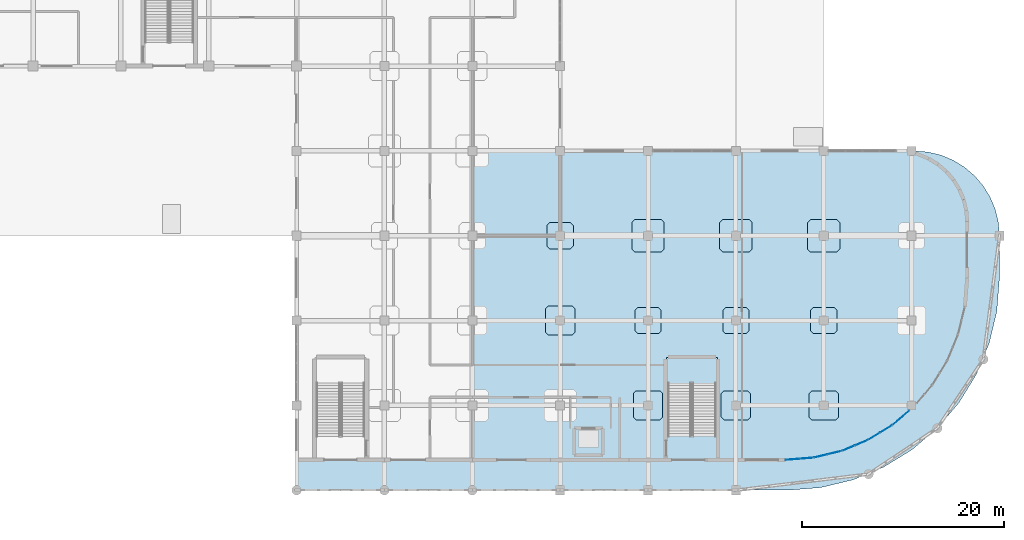
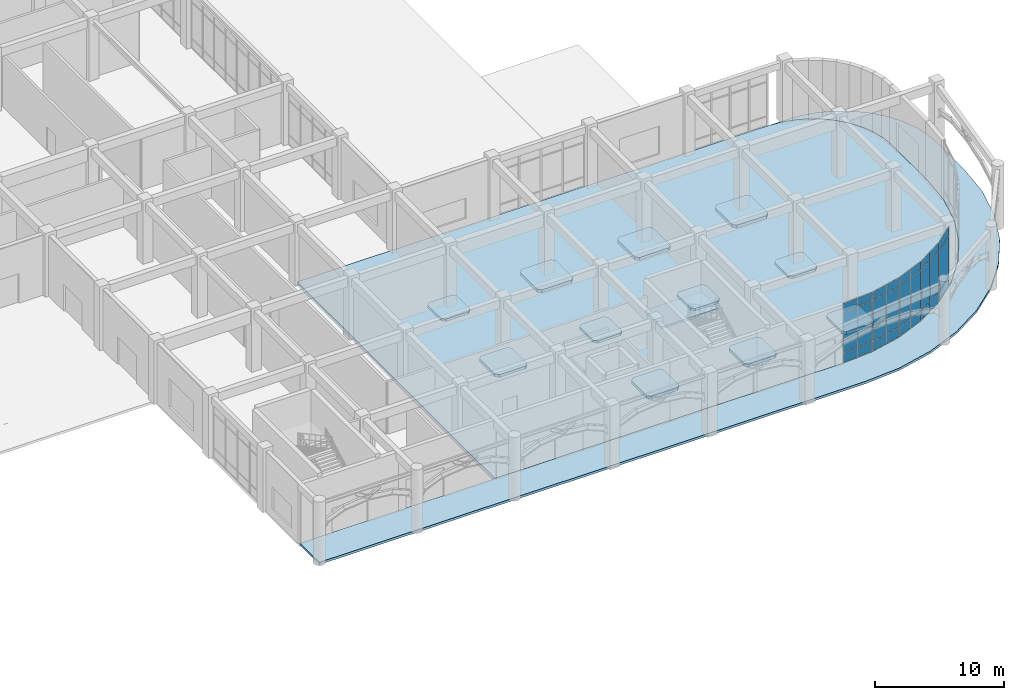
# One storey, part 56 of 82: 27 plates, 14 slabs, 6 elements without a shape of their own.
"""IFC4 building model written with IfcOpenShell, lengths in metres."""

from ifc_helpers import new_model, si_unit, derived_unit, direction, frame, origin, origin_2d, place, context, subcontext, project, spatial, polyline, rectangle, outline, extrude, material, layer, layer_set, type_object, element, aggregate, save


model = new_model("IFC4")

# Units and contexts
model_context = context("Model", 3, precision=1e-05, world=origin(), true_north=direction((0.0, 1.0)))
body_context = subcontext(model_context, "Body", "Model", "MODEL_VIEW")
ifc_project = project(units=[si_unit("LENGTHUNIT", "METRE"), si_unit("AREAUNIT", "SQUARE_METRE"), si_unit("VOLUMEUNIT", "CUBIC_METRE"), si_unit("PLANEANGLEUNIT", "RADIAN"), si_unit("MASSUNIT", "GRAM", prefix="KILO"), derived_unit("THERMALTRANSMITTANCEUNIT", [(si_unit("MASSUNIT", "GRAM", prefix="KILO"), 1), (si_unit("TIMEUNIT", "SECOND"), -3), (si_unit("THERMODYNAMICTEMPERATUREUNIT", "KELVIN"), -1)])], contexts=[model_context])

# Site, building, storey
site_placement = place(None, origin())
site = spatial("IfcSite", under=ifc_project, at=site_placement, CompositionType="ELEMENT")
building_placement = place(site_placement, origin())
building = spatial("IfcBuilding", under=site, at=building_placement, Name="Qinzheling Arcade Emporium", CompositionType="ELEMENT")
storey_placement = place(building_placement, origin())
storey = spatial("IfcBuildingStorey", under=building, at=storey_placement, Name="L01", CompositionType="ELEMENT", Elevation=0.0)

# Slabs
ifc_material_1 = material(Name="Concrete C40", Category="concrete")
ifc_layer_1 = layer(ifc_material_1, 0.235107421875, Name="Concrete C40", Category="concrete")
ifc_layer_set_1 = layer_set([ifc_layer_1], Name="Concrete C40")
slab_type_1 = type_object("IfcSlabType", Name="Column Head Drop Panel 2600x2600x235 C40", PredefinedType="USERDEFINED", material=ifc_layer_set_1)
slab_1_placement = place(storey_placement, frame((0.0, 0.0, -0.574951171875)))
element("IfcSlab", 1, at=slab_1_placement, inside=storey, type_object=slab_type_1, Name="Column Drop Panel DP-L01-16-D", ObjectType="DROP_PANEL", PredefinedType="USERDEFINED", context=body_context, shape_type="SweptSolid", body=[
    extrude(outline(polyline([(129.47998046875, 23.89990234375), (131.52001953125, 23.89990234375), (131.800048828125, 24.179931640625), (131.800048828125, 26.219970703125), (131.52001953125, 26.5), (129.47998046875, 26.5), (129.199951171875, 26.219970703125), (129.199951171875, 24.179931640625), (129.47998046875, 23.89990234375)])), origin(), (0.0, 0.0, 1.0), 0.23486328125),
])
slab_2_placement = place(storey_placement, frame((0.0, 0.0, -0.574951171875)))
element("IfcSlab", 2, at=slab_2_placement, inside=storey, type_object=slab_type_1, Name="Column Drop Panel DP-L01-17-C", ObjectType="DROP_PANEL", PredefinedType="USERDEFINED", context=body_context, shape_type="SweptSolid", body=[
    extrude(outline(polyline([(138.179931640625, 15.5), (140.219970703125, 15.5), (140.5, 15.780029296875), (140.5, 17.820068359375), (140.219970703125, 18.10009765625), (138.179931640625, 18.10009765625), (137.89990234375, 17.820068359375), (137.89990234375, 15.780029296875), (138.179931640625, 15.5)])), origin(), (0.0, 0.0, 1.0), 0.23486328125),
])
slab_3_placement = place(storey_placement, frame((0.0, 0.0, -0.574951171875)))
element("IfcSlab", 3, at=slab_3_placement, inside=storey, type_object=slab_type_1, Name="Column Drop Panel DP-L01-18-C", ObjectType="DROP_PANEL", PredefinedType="USERDEFINED", context=body_context, shape_type="SweptSolid", body=[
    extrude(outline(polyline([(146.8798828125, 15.5), (148.919921875, 15.5), (149.199951171875, 15.780029296875), (149.199951171875, 17.820068359375), (148.919921875, 18.10009765625), (146.8798828125, 18.10009765625), (146.60009765625, 17.820068359375), (146.60009765625, 15.780029296875), (146.8798828125, 15.5)])), origin(), (0.0, 0.0, 1.0), 0.23486328125),
])
slab_4_placement = place(storey_placement, frame((0.0, 0.0, -0.574951171875)))
element("IfcSlab", 4, at=slab_4_placement, inside=storey, type_object=slab_type_1, Name="Column Drop Panel DP-L01-19-C", ObjectType="DROP_PANEL", PredefinedType="USERDEFINED", context=body_context, shape_type="SweptSolid", body=[
    extrude(outline(polyline([(155.580078125, 15.5), (157.6201171875, 15.5), (157.89990234375, 15.780029296875), (157.89990234375, 17.820068359375), (157.6201171875, 18.10009765625), (155.580078125, 18.10009765625), (155.300048828125, 17.820068359375), (155.300048828125, 15.780029296875), (155.580078125, 15.5)])), origin(), (0.0, 0.0, 1.0), 0.23486328125),
])
ifc_layer_2 = layer(ifc_material_1, 0.27001953125, Name="Concrete C40", Category="concrete")
ifc_layer_set_2 = layer_set([ifc_layer_2], Name="Concrete C40")
slab_type_2 = type_object("IfcSlabType", Name="Column Head Drop Panel 2900x2900x270 C40", PredefinedType="USERDEFINED", material=ifc_layer_set_2)
slab_5_placement = place(storey_placement, frame((0.0, 0.0, -0.610107421875)))
element("IfcSlab", 5, at=slab_5_placement, inside=storey, type_object=slab_type_2, Name="Column Drop Panel DP-L01-16-C", ObjectType="DROP_PANEL", PredefinedType="USERDEFINED", context=body_context, shape_type="SweptSolid", body=[
    extrude(outline(polyline([(129.330078125, 15.35009765625), (131.669921875, 15.35009765625), (131.949951171875, 15.6298828125), (131.949951171875, 17.969970703125), (131.669921875, 18.25), (129.330078125, 18.25), (129.050048828125, 17.969970703125), (129.050048828125, 15.6298828125), (129.330078125, 15.35009765625)])), origin(), (0.0, 0.0, 1.0), 0.27001953125),
])
slab_6_placement = place(storey_placement, frame((0.0, 0.0, -0.610107421875)))
element("IfcSlab", 6, at=slab_6_placement, inside=storey, type_object=slab_type_2, Name="Column Drop Panel DP-L01-17-B", ObjectType="DROP_PANEL", PredefinedType="USERDEFINED", context=body_context, shape_type="SweptSolid", body=[
    extrude(outline(polyline([(138.030029296875, 6.949951171875), (140.3701171875, 6.949951171875), (140.64990234375, 7.22998046875), (140.64990234375, 9.570068359375), (140.3701171875, 9.85009765625), (138.030029296875, 9.85009765625), (137.75, 9.570068359375), (137.75, 7.22998046875), (138.030029296875, 6.949951171875)])), origin(), (0.0, 0.0, 1.0), 0.27001953125),
])
slab_7_placement = place(storey_placement, frame((0.0, 0.0, -0.610107421875)))
element("IfcSlab", 7, at=slab_7_placement, inside=storey, type_object=slab_type_2, Name="Column Drop Panel DP-L01-18-B", ObjectType="DROP_PANEL", PredefinedType="USERDEFINED", context=body_context, shape_type="SweptSolid", body=[
    extrude(outline(polyline([(146.72998046875, 6.949951171875), (149.070068359375, 6.949951171875), (149.35009765625, 7.22998046875), (149.35009765625, 9.570068359375), (149.070068359375, 9.85009765625), (146.72998046875, 9.85009765625), (146.449951171875, 9.570068359375), (146.449951171875, 7.22998046875), (146.72998046875, 6.949951171875)])), origin(), (0.0, 0.0, 1.0), 0.27001953125),
])
slab_8_placement = place(storey_placement, frame((0.0, 0.0, -0.610107421875)))
element("IfcSlab", 8, at=slab_8_placement, inside=storey, type_object=slab_type_2, Name="Column Drop Panel DP-L01-19-B", ObjectType="DROP_PANEL", PredefinedType="USERDEFINED", context=body_context, shape_type="SweptSolid", body=[
    extrude(outline(polyline([(155.429931640625, 6.949951171875), (157.77001953125, 6.949951171875), (158.050048828125, 7.22998046875), (158.050048828125, 9.570068359375), (157.77001953125, 9.85009765625), (155.429931640625, 9.85009765625), (155.14990234375, 9.570068359375), (155.14990234375, 7.22998046875), (155.429931640625, 6.949951171875)])), origin(), (0.0, 0.0, 1.0), 0.27001953125),
])
ifc_layer_3 = layer(ifc_material_1, 0.300048828125, Name="Concrete C40", Category="concrete")
ifc_layer_set_3 = layer_set([ifc_layer_3], Name="Concrete C40")
slab_type_3 = type_object("IfcSlabType", Name="Column Head Drop Panel 3200x3200x300 C40", PredefinedType="USERDEFINED", material=ifc_layer_set_3)
slab_9_placement = place(storey_placement, frame((0.0, 0.0, -0.639892578125)))
element("IfcSlab", 9, at=slab_9_placement, inside=storey, type_object=slab_type_3, Name="Column Drop Panel DP-L01-17-D", ObjectType="DROP_PANEL", PredefinedType="USERDEFINED", context=body_context, shape_type="SweptSolid", body=[
    extrude(outline(polyline([(137.8798828125, 23.60009765625), (140.52001953125, 23.60009765625), (140.800048828125, 23.8798828125), (140.800048828125, 26.52001953125), (140.52001953125, 26.800048828125), (137.8798828125, 26.800048828125), (137.60009765625, 26.52001953125), (137.60009765625, 23.8798828125), (137.8798828125, 23.60009765625)])), origin(), (0.0, 0.0, 1.0), 0.2998046875),
])
slab_10_placement = place(storey_placement, frame((0.0, 0.0, -0.639892578125)))
element("IfcSlab", 10, at=slab_10_placement, inside=storey, type_object=slab_type_3, Name="Column Drop Panel DP-L01-18-D", ObjectType="DROP_PANEL", PredefinedType="USERDEFINED", context=body_context, shape_type="SweptSolid", body=[
    extrude(outline(polyline([(146.580078125, 23.60009765625), (149.219970703125, 23.60009765625), (149.5, 23.8798828125), (149.5, 26.52001953125), (149.219970703125, 26.800048828125), (146.580078125, 26.800048828125), (146.300048828125, 26.52001953125), (146.300048828125, 23.8798828125), (146.580078125, 23.60009765625)])), origin(), (0.0, 0.0, 1.0), 0.2998046875),
])
slab_11_placement = place(storey_placement, frame((0.0, 0.0, -0.639892578125)))
element("IfcSlab", 11, at=slab_11_placement, inside=storey, type_object=slab_type_3, Name="Column Drop Panel DP-L01-19-D", ObjectType="DROP_PANEL", PredefinedType="USERDEFINED", context=body_context, shape_type="SweptSolid", body=[
    extrude(outline(polyline([(155.280029296875, 23.60009765625), (157.919921875, 23.60009765625), (158.199951171875, 23.8798828125), (158.199951171875, 26.52001953125), (157.919921875, 26.800048828125), (155.280029296875, 26.800048828125), (155.0, 26.52001953125), (155.0, 23.8798828125), (155.280029296875, 23.60009765625)])), origin(), (0.0, 0.0, 1.0), 0.2998046875),
])
ifc_layer_4 = layer(ifc_material_1, 0.219970703125, Name="Concrete C40", Category="concrete")
ifc_layer_set_4 = layer_set([ifc_layer_4], Name="Concrete C40")
slab_type_4 = type_object("IfcSlabType", Name="Exterior Entry Driveway Paving Slab 220 C40", PredefinedType="FLOOR", material=ifc_layer_set_4)
slab_12_placement = place(storey_placement, frame((0.0, 0.0, -0.219970703125)))
element("IfcSlab", 12, at=slab_12_placement, inside=storey, type_object=slab_type_4, Name="Arcade and Court Paving SLB-L01-ARC-COL-03", PredefinedType="FLOOR", context=body_context, shape_type="SweptSolid", body=[
    extrude(outline(polyline([(165.60009765625, 33.60009765625), (163.800048828125, 33.60009765625), (164.89501953125, 33.513916015625), (165.962890625, 33.257080078125), (166.97802734375, 32.8369140625), (167.9140625, 32.262939453125), (168.75, 31.550048828125), (169.462890625, 30.714111328125), (170.037109375, 29.778076171875), (170.45703125, 28.762939453125), (170.714111328125, 27.695068359375), (170.800048828125, 26.60009765625), (170.800048828125, 21.0), (170.577880859375, 18.18408203125), (169.9189453125, 15.43798828125), (168.837890625, 12.827880859375), (167.362060546875, 10.419921875), (165.528076171875, 8.27197265625), (163.3798828125, 6.43798828125), (160.971923828125, 4.9619140625), (158.362060546875, 3.881103515625), (155.615966796875, 3.221923828125), (152.800048828125, 3.0), (121.800048828125, 3.0), (104.39990234375, 3.0), (104.39990234375, 0.0), (121.800048828125, 0.0), (153.0, 0.0), (156.284912109375, 0.259033203125), (159.489013671875, 1.028076171875), (162.533935546875, 2.2890625), (165.343017578125, 4.010986328125), (167.84912109375, 6.15087890625), (169.989013671875, 8.656982421875), (171.7109375, 11.466064453125), (172.971923828125, 14.510986328125), (173.740966796875, 17.715087890625), (174.0, 21.0), (174.0, 25.199951171875), (173.89697265625, 26.513916015625), (173.589111328125, 27.7958984375), (173.083984375, 29.013916015625), (172.39599609375, 30.136962890625), (171.5400390625, 31.139892578125), (170.537109375, 31.99609375), (169.4140625, 32.68408203125), (168.196044921875, 33.18896484375), (166.9140625, 33.4970703125), (165.60009765625, 33.60009765625)])), origin(), (0.0, 0.0, 1.0), 0.219970703125),
])
ifc_layer_5 = layer(ifc_material_1, 0.340087890625, Name="Concrete C40", Category="concrete")
ifc_layer_set_5 = layer_set([ifc_layer_5], Name="Concrete C40")
slab_type_5 = type_object("IfcSlabType", Name="Ground Mercantile & Dock Slab 340 C40", PredefinedType="FLOOR", material=ifc_layer_set_5)
slab_13_placement = place(storey_placement, frame((0.0, 0.0, -0.340087890625)))
element("IfcSlab", 13, at=slab_13_placement, inside=storey, type_object=slab_type_5, Name="Floor Slab SLB-L01-V4", PredefinedType="FLOOR", context=body_context, shape_type="SweptSolid", body=[
    extrude(outline(polyline([(121.800048828125, 33.60009765625), (121.800048828125, 3.0), (152.800048828125, 3.0), (155.615966796875, 3.221923828125), (158.362060546875, 3.881103515625), (160.971923828125, 4.9619140625), (163.3798828125, 6.43798828125), (165.528076171875, 8.27197265625), (167.362060546875, 10.419921875), (168.837890625, 12.827880859375), (169.9189453125, 15.43798828125), (170.577880859375, 18.18408203125), (170.800048828125, 21.0), (170.800048828125, 26.60009765625), (170.714111328125, 27.695068359375), (170.45703125, 28.762939453125), (170.037109375, 29.778076171875), (169.462890625, 30.714111328125), (168.75, 31.550048828125), (167.9140625, 32.262939453125), (166.97802734375, 32.8369140625), (165.962890625, 33.257080078125), (164.89501953125, 33.513916015625), (163.800048828125, 33.60009765625), (121.800048828125, 33.60009765625)])), origin(), (0.0, 0.0, 1.0), 0.340087890625),
])

# Curtain wall, plates
ifc_material_2 = material(Name="Anodised aluminium and solar-control double glazing", Category="aluminium")
ifc_layer_6 = layer(ifc_material_2, 0.159912109375, Name="Anodised aluminium and solar-control double glazing", Category="aluminium")
ifc_layer_set_6 = layer_set([ifc_layer_6], Name="Anodised aluminium and solar-control double glazing")
curtain_wall_type_1 = type_object("IfcCurtainWallType", Name="Curved Ribbon Sales Curtain Wall", PredefinedType="NOTDEFINED", material=ifc_layer_set_6)
curtain_wall_1_placement = place(storey_placement, origin())
curtain_wall_1 = element("IfcCurtainWall", 14, at=curtain_wall_1_placement, inside=storey, type_object=curtain_wall_type_1, Name="Curtain Wall CW-L01-005", PredefinedType="NOTDEFINED")
ifc_material_3 = material(Name="Laminated solar-control double glazing", Category="glass")
ifc_layer_7 = layer(ifc_material_3, 0.027099609375, Name="Laminated solar-control double glazing", Category="glass")
ifc_layer_set_7 = layer_set([ifc_layer_7], Name="Laminated solar-control double glazing")
plate_type_1 = type_object("IfcPlateType", Name="Low-E Double Glazed Curtain Panel 27mm", PredefinedType="CURTAIN_PANEL", material=ifc_layer_set_7)
plate_1_placement = place(storey_placement, frame((164.248046875, 7.178955078125, 0.06005859375), z_axis=(0.0, 0.0, 1.0), x_axis=(-0.760553948941, -0.649274742117, 0.0)))
plate_1 = element("IfcPlate", 15, at=plate_1_placement, type_object=plate_type_1, Name="CW02 panel 1.1", PredefinedType="CURTAIN_PANEL", context=body_context, shape_type="SweptSolid", body=[
    extrude(rectangle(XDim=2.16259765625, YDim=0.027099609375, at=origin_2d()), origin(), (0.0, 0.0, 1.0), 0.860107421875),
])
plate_2_placement = place(storey_placement, frame((164.248046875, 7.178955078125, 0.97998046875), z_axis=(0.0, 0.0, 1.0), x_axis=(-0.760553948941, -0.649274742117, 0.0)))
plate_2 = element("IfcPlate", 16, at=plate_2_placement, type_object=plate_type_1, Name="CW02 panel 1.2", PredefinedType="CURTAIN_PANEL", context=body_context, shape_type="SweptSolid", body=[
    extrude(rectangle(XDim=2.16259765625, YDim=0.027099609375, at=origin_2d()), origin(), (0.0, 0.0, 1.0), 3.800048828125),
])
plate_3_placement = place(storey_placement, frame((164.248046875, 7.178955078125, 4.83984375), z_axis=(0.0, 0.0, 1.0), x_axis=(-0.760553948941, -0.649274742117, 0.0)))
plate_3 = element("IfcPlate", 17, at=plate_3_placement, type_object=plate_type_1, Name="CW02 panel 1.3", PredefinedType="CURTAIN_PANEL", context=body_context, shape_type="SweptSolid", body=[
    extrude(rectangle(XDim=2.16259765625, YDim=0.027099609375, at=origin_2d()), origin(), (0.0, 0.0, 1.0), 0.760009765625),
])
aggregate(curtain_wall_1, [plate_1, plate_2, plate_3])

curtain_wall_2_placement = place(storey_placement, origin())
curtain_wall_2 = element("IfcCurtainWall", 18, at=curtain_wall_2_placement, inside=storey, type_object=curtain_wall_type_1, Name="Curtain Wall CW-L01-006", PredefinedType="NOTDEFINED")
ifc_layer_8 = layer(ifc_material_3, 0.028076171875, Name="Laminated solar-control double glazing", Category="glass")
ifc_layer_set_8 = layer_set([ifc_layer_8], Name="Laminated solar-control double glazing")
plate_type_2 = type_object("IfcPlateType", Name="Low-E Double Glazed Curtain Panel 28mm", PredefinedType="CURTAIN_PANEL", material=ifc_layer_set_8)
plate_4_placement = place(storey_placement, frame((162.76513671875, 6.061279296875, 0.06005859375), z_axis=(0.0, 0.0, 1.0), x_axis=(-0.852580897222, -0.522595267575, 0.0)))
plate_4 = element("IfcPlate", 19, at=plate_4_placement, type_object=plate_type_2, Name="CW02 panel 1.1", PredefinedType="CURTAIN_PANEL", context=body_context, shape_type="SweptSolid", body=[
    extrude(rectangle(XDim=1.322265625, YDim=0.028076171875, at=origin_2d()), origin(), (0.0, 0.0, 1.0), 0.860107421875),
])
plate_5_placement = place(storey_placement, frame((162.76513671875, 6.061279296875, 0.97998046875), z_axis=(0.0, 0.0, 1.0), x_axis=(-0.852580897222, -0.522595267575, 0.0)))
plate_5 = element("IfcPlate", 20, at=plate_5_placement, type_object=plate_type_2, Name="CW02 panel 1.2", PredefinedType="CURTAIN_PANEL", context=body_context, shape_type="SweptSolid", body=[
    extrude(rectangle(XDim=1.322265625, YDim=0.028076171875, at=origin_2d()), origin(), (0.0, 0.0, 1.0), 3.800048828125),
])
plate_6_placement = place(storey_placement, frame((162.76513671875, 6.061279296875, 4.83984375), z_axis=(0.0, 0.0, 1.0), x_axis=(-0.852580897222, -0.522595267575, 0.0)))
plate_6 = element("IfcPlate", 21, at=plate_6_placement, type_object=plate_type_2, Name="CW02 panel 1.3", PredefinedType="CURTAIN_PANEL", context=body_context, shape_type="SweptSolid", body=[
    extrude(rectangle(XDim=1.322265625, YDim=0.028076171875, at=origin_2d()), origin(), (0.0, 0.0, 1.0), 0.760009765625),
])
plate_7_placement = place(storey_placement, frame((161.586669921875, 5.3388671875, 0.06005859375), z_axis=(0.0, 0.0, 1.0), x_axis=(-0.852580897222, -0.522595267575, 0.0)))
plate_7 = element("IfcPlate", 22, at=plate_7_placement, type_object=plate_type_2, Name="CW02 panel 2.1", PredefinedType="CURTAIN_PANEL", context=body_context, shape_type="SweptSolid", body=[
    extrude(rectangle(XDim=1.322265625, YDim=0.028076171875, at=origin_2d()), origin(), (0.0, 0.0, 1.0), 0.860107421875),
])
plate_8_placement = place(storey_placement, frame((161.586669921875, 5.3388671875, 0.97998046875), z_axis=(0.0, 0.0, 1.0), x_axis=(-0.852580897222, -0.522595267575, 0.0)))
plate_8 = element("IfcPlate", 23, at=plate_8_placement, type_object=plate_type_2, Name="CW02 panel 2.2", PredefinedType="CURTAIN_PANEL", context=body_context, shape_type="SweptSolid", body=[
    extrude(rectangle(XDim=1.322265625, YDim=0.028076171875, at=origin_2d()), origin(), (0.0, 0.0, 1.0), 3.800048828125),
])
plate_9_placement = place(storey_placement, frame((161.586669921875, 5.3388671875, 4.83984375), z_axis=(0.0, 0.0, 1.0), x_axis=(-0.852580897222, -0.522595267575, 0.0)))
plate_9 = element("IfcPlate", 24, at=plate_9_placement, type_object=plate_type_2, Name="CW02 panel 2.3", PredefinedType="CURTAIN_PANEL", context=body_context, shape_type="SweptSolid", body=[
    extrude(rectangle(XDim=1.322265625, YDim=0.028076171875, at=origin_2d()), origin(), (0.0, 0.0, 1.0), 0.760009765625),
])
aggregate(curtain_wall_2, [plate_4, plate_5, plate_6, plate_7, plate_8, plate_9])

curtain_wall_3_placement = place(storey_placement, origin())
curtain_wall_3 = element("IfcCurtainWall", 25, at=curtain_wall_3_placement, inside=storey, type_object=curtain_wall_type_1, Name="Curtain Wall CW-L01-007", PredefinedType="NOTDEFINED")
ifc_layer_9 = layer(ifc_material_3, 0.029052734375, Name="Laminated solar-control double glazing", Category="glass")
ifc_layer_set_9 = layer_set([ifc_layer_9], Name="Laminated solar-control double glazing")
plate_type_3 = type_object("IfcPlateType", Name="Low-E Double Glazed Curtain Panel 29mm", PredefinedType="CURTAIN_PANEL", material=ifc_layer_set_9)
plate_10_placement = place(storey_placement, frame((160.3056640625, 4.68603515625, 0.06005859375), z_axis=(0.0, 0.0, 1.0), x_axis=(-0.923891721508, -0.382654004198, 0.0)))
plate_10 = element("IfcPlate", 26, at=plate_10_placement, type_object=plate_type_3, Name="CW02 panel 1.1", PredefinedType="CURTAIN_PANEL", context=body_context, shape_type="SweptSolid", body=[
    extrude(rectangle(XDim=1.322509765625, YDim=0.029052734375, at=origin_2d()), origin(), (0.0, 0.0, 1.0), 0.860107421875),
])
plate_11_placement = place(storey_placement, frame((160.3056640625, 4.68603515625, 0.97998046875), z_axis=(0.0, 0.0, 1.0), x_axis=(-0.923891721508, -0.382654004198, 0.0)))
plate_11 = element("IfcPlate", 27, at=plate_11_placement, type_object=plate_type_3, Name="CW02 panel 1.2", PredefinedType="CURTAIN_PANEL", context=body_context, shape_type="SweptSolid", body=[
    extrude(rectangle(XDim=1.322509765625, YDim=0.029052734375, at=origin_2d()), origin(), (0.0, 0.0, 1.0), 3.800048828125),
])
plate_12_placement = place(storey_placement, frame((160.3056640625, 4.68603515625, 4.83984375), z_axis=(0.0, 0.0, 1.0), x_axis=(-0.923891721508, -0.382654004198, 0.0)))
plate_12 = element("IfcPlate", 28, at=plate_12_placement, type_object=plate_type_3, Name="CW02 panel 1.3", PredefinedType="CURTAIN_PANEL", context=body_context, shape_type="SweptSolid", body=[
    extrude(rectangle(XDim=1.322509765625, YDim=0.029052734375, at=origin_2d()), origin(), (0.0, 0.0, 1.0), 0.760009765625),
])
plate_13_placement = place(storey_placement, frame((159.0283203125, 4.156982421875, 0.06005859375), z_axis=(0.0, 0.0, 1.0), x_axis=(-0.923891721508, -0.382654004198, 0.0)))
plate_13 = element("IfcPlate", 29, at=plate_13_placement, type_object=plate_type_3, Name="CW02 panel 2.1", PredefinedType="CURTAIN_PANEL", context=body_context, shape_type="SweptSolid", body=[
    extrude(rectangle(XDim=1.322509765625, YDim=0.029052734375, at=origin_2d()), origin(), (0.0, 0.0, 1.0), 0.860107421875),
])
plate_14_placement = place(storey_placement, frame((159.0283203125, 4.156982421875, 0.97998046875), z_axis=(0.0, 0.0, 1.0), x_axis=(-0.923891721508, -0.382654004198, 0.0)))
plate_14 = element("IfcPlate", 30, at=plate_14_placement, type_object=plate_type_3, Name="CW02 panel 2.2", PredefinedType="CURTAIN_PANEL", context=body_context, shape_type="SweptSolid", body=[
    extrude(rectangle(XDim=1.322509765625, YDim=0.029052734375, at=origin_2d()), origin(), (0.0, 0.0, 1.0), 3.800048828125),
])
plate_15_placement = place(storey_placement, frame((159.0283203125, 4.156982421875, 4.83984375), z_axis=(0.0, 0.0, 1.0), x_axis=(-0.923891721508, -0.382654004198, 0.0)))
plate_15 = element("IfcPlate", 31, at=plate_15_placement, type_object=plate_type_3, Name="CW02 panel 2.3", PredefinedType="CURTAIN_PANEL", context=body_context, shape_type="SweptSolid", body=[
    extrude(rectangle(XDim=1.322509765625, YDim=0.029052734375, at=origin_2d()), origin(), (0.0, 0.0, 1.0), 0.760009765625),
])
aggregate(curtain_wall_3, [plate_10, plate_11, plate_12, plate_13, plate_14, plate_15])

curtain_wall_4_placement = place(storey_placement, origin())
curtain_wall_4 = element("IfcCurtainWall", 32, at=curtain_wall_4_placement, inside=storey, type_object=curtain_wall_type_1, Name="Curtain Wall CW-L01-008", PredefinedType="NOTDEFINED")
ifc_layer_10 = layer(ifc_material_3, 0.030029296875, Name="Laminated solar-control double glazing", Category="glass")
ifc_layer_set_10 = layer_set([ifc_layer_10], Name="Laminated solar-control double glazing")
plate_type_4 = type_object("IfcPlateType", Name="Low-E Double Glazed Curtain Panel 30mm", PredefinedType="CURTAIN_PANEL", material=ifc_layer_set_10)
plate_16_placement = place(storey_placement, frame((157.660888671875, 3.712646484375, 0.06005859375), z_axis=(0.0, 0.0, 1.0), x_axis=(-0.972390516216, -0.233359559423, 0.0)))
plate_16 = element("IfcPlate", 33, at=plate_16_placement, type_object=plate_type_4, Name="CW02 panel 1.1", PredefinedType="CURTAIN_PANEL", context=body_context, shape_type="SweptSolid", body=[
    extrude(rectangle(XDim=1.322021484375, YDim=0.030029296875, at=origin_2d()), origin(), (0.0, 0.0, 1.0), 0.860107421875),
])
plate_17_placement = place(storey_placement, frame((157.660888671875, 3.712646484375, 0.97998046875), z_axis=(0.0, 0.0, 1.0), x_axis=(-0.972390516216, -0.233359559423, 0.0)))
plate_17 = element("IfcPlate", 34, at=plate_17_placement, type_object=plate_type_4, Name="CW02 panel 1.2", PredefinedType="CURTAIN_PANEL", context=body_context, shape_type="SweptSolid", body=[
    extrude(rectangle(XDim=1.322021484375, YDim=0.030029296875, at=origin_2d()), origin(), (0.0, 0.0, 1.0), 3.800048828125),
])
plate_18_placement = place(storey_placement, frame((157.660888671875, 3.712646484375, 4.83984375), z_axis=(0.0, 0.0, 1.0), x_axis=(-0.972390516216, -0.233359559423, 0.0)))
plate_18 = element("IfcPlate", 35, at=plate_18_placement, type_object=plate_type_4, Name="CW02 panel 1.3", PredefinedType="CURTAIN_PANEL", context=body_context, shape_type="SweptSolid", body=[
    extrude(rectangle(XDim=1.322021484375, YDim=0.030029296875, at=origin_2d()), origin(), (0.0, 0.0, 1.0), 0.760009765625),
])
plate_19_placement = place(storey_placement, frame((156.317138671875, 3.39013671875, 0.06005859375), z_axis=(0.0, 0.0, 1.0), x_axis=(-0.972390516216, -0.233359559423, 0.0)))
plate_19 = element("IfcPlate", 36, at=plate_19_placement, type_object=plate_type_4, Name="CW02 panel 2.1", PredefinedType="CURTAIN_PANEL", context=body_context, shape_type="SweptSolid", body=[
    extrude(rectangle(XDim=1.322021484375, YDim=0.030029296875, at=origin_2d()), origin(), (0.0, 0.0, 1.0), 0.860107421875),
])
plate_20_placement = place(storey_placement, frame((156.317138671875, 3.39013671875, 0.97998046875), z_axis=(0.0, 0.0, 1.0), x_axis=(-0.972390516216, -0.233359559423, 0.0)))
plate_20 = element("IfcPlate", 37, at=plate_20_placement, type_object=plate_type_4, Name="CW02 panel 2.2", PredefinedType="CURTAIN_PANEL", context=body_context, shape_type="SweptSolid", body=[
    extrude(rectangle(XDim=1.322021484375, YDim=0.030029296875, at=origin_2d()), origin(), (0.0, 0.0, 1.0), 3.800048828125),
])
plate_21_placement = place(storey_placement, frame((156.317138671875, 3.39013671875, 4.83984375), z_axis=(0.0, 0.0, 1.0), x_axis=(-0.972390516216, -0.233359559423, 0.0)))
plate_21 = element("IfcPlate", 38, at=plate_21_placement, type_object=plate_type_4, Name="CW02 panel 2.3", PredefinedType="CURTAIN_PANEL", context=body_context, shape_type="SweptSolid", body=[
    extrude(rectangle(XDim=1.322021484375, YDim=0.030029296875, at=origin_2d()), origin(), (0.0, 0.0, 1.0), 0.760009765625),
])
aggregate(curtain_wall_4, [plate_16, plate_17, plate_18, plate_19, plate_20, plate_21])

ifc_layer_11 = layer(ifc_material_2, 0.159912109375, Name="Anodised aluminium and solar-control double glazing", Category="aluminium")
ifc_layer_set_11 = layer_set([ifc_layer_11], Name="Anodised aluminium and solar-control double glazing")
curtain_wall_type_2 = type_object("IfcCurtainWallType", Name="Food Hall Loggia Curtain Wall", PredefinedType="NOTDEFINED", material=ifc_layer_set_11)
curtain_wall_5_placement = place(storey_placement, origin())
curtain_wall_5 = element("IfcCurtainWall", 39, at=curtain_wall_5_placement, inside=storey, type_object=curtain_wall_type_2, Name="Curtain Wall CW-L01-009", PredefinedType="NOTDEFINED")
ifc_layer_12 = layer(ifc_material_3, 0.031005859375, Name="Laminated solar-control double glazing", Category="glass")
ifc_layer_set_12 = layer_set([ifc_layer_12], Name="Laminated solar-control double glazing")
plate_type_5 = type_object("IfcPlateType", Name="Low-E Double Glazed Curtain Panel 31mm", PredefinedType="CURTAIN_PANEL", material=ifc_layer_set_12)
plate_22_placement = place(storey_placement, frame((154.89697265625, 3.165283203125, 0.06005859375), z_axis=(0.0, 0.0, 1.0), x_axis=(-0.996906913659, -0.078591383114, 0.0)))
plate_22 = element("IfcPlate", 40, at=plate_22_placement, type_object=plate_type_5, Name="CW04 panel 1.1", PredefinedType="CURTAIN_PANEL", context=body_context, shape_type="SweptSolid", body=[
    extrude(rectangle(XDim=1.322265625, YDim=0.031005859375, at=origin_2d()), origin(), (0.0, 0.0, 1.0), 0.860107421875),
])
plate_23_placement = place(storey_placement, frame((154.89697265625, 3.165283203125, 0.97998046875), z_axis=(0.0, 0.0, 1.0), x_axis=(-0.996906913659, -0.078591383114, 0.0)))
plate_23 = element("IfcPlate", 41, at=plate_23_placement, type_object=plate_type_5, Name="CW04 panel 1.2", PredefinedType="CURTAIN_PANEL", context=body_context, shape_type="SweptSolid", body=[
    extrude(rectangle(XDim=1.322265625, YDim=0.031005859375, at=origin_2d()), origin(), (0.0, 0.0, 1.0), 3.800048828125),
])
plate_24_placement = place(storey_placement, frame((154.89697265625, 3.165283203125, 4.83984375), z_axis=(0.0, 0.0, 1.0), x_axis=(-0.996906913659, -0.078591383114, 0.0)))
plate_24 = element("IfcPlate", 42, at=plate_24_placement, type_object=plate_type_5, Name="CW04 panel 1.3", PredefinedType="CURTAIN_PANEL", context=body_context, shape_type="SweptSolid", body=[
    extrude(rectangle(XDim=1.322265625, YDim=0.031005859375, at=origin_2d()), origin(), (0.0, 0.0, 1.0), 0.760009765625),
])
plate_25_placement = place(storey_placement, frame((153.51904296875, 3.056640625, 0.06005859375), z_axis=(0.0, 0.0, 1.0), x_axis=(-0.996906913659, -0.078591383114, 0.0)))
plate_25 = element("IfcPlate", 43, at=plate_25_placement, type_object=plate_type_5, Name="CW04 panel 2.1", PredefinedType="CURTAIN_PANEL", context=body_context, shape_type="SweptSolid", body=[
    extrude(rectangle(XDim=1.322265625, YDim=0.031005859375, at=origin_2d()), origin(), (0.0, 0.0, 1.0), 0.860107421875),
])
plate_26_placement = place(storey_placement, frame((153.51904296875, 3.056640625, 0.97998046875), z_axis=(0.0, 0.0, 1.0), x_axis=(-0.996906913659, -0.078591383114, 0.0)))
plate_26 = element("IfcPlate", 44, at=plate_26_placement, type_object=plate_type_5, Name="CW04 panel 2.2", PredefinedType="CURTAIN_PANEL", context=body_context, shape_type="SweptSolid", body=[
    extrude(rectangle(XDim=1.322265625, YDim=0.031005859375, at=origin_2d()), origin(), (0.0, 0.0, 1.0), 3.800048828125),
])
plate_27_placement = place(storey_placement, frame((153.51904296875, 3.056640625, 4.83984375), z_axis=(0.0, 0.0, 1.0), x_axis=(-0.996906913659, -0.078591383114, 0.0)))
plate_27 = element("IfcPlate", 45, at=plate_27_placement, type_object=plate_type_5, Name="CW04 panel 2.3", PredefinedType="CURTAIN_PANEL", context=body_context, shape_type="SweptSolid", body=[
    extrude(rectangle(XDim=1.322265625, YDim=0.031005859375, at=origin_2d()), origin(), (0.0, 0.0, 1.0), 0.760009765625),
])
aggregate(curtain_wall_5, [plate_22, plate_23, plate_24, plate_25, plate_26, plate_27])

# Stair, slab
stair_type = type_object("IfcStairType", Name="Cast-in-Situ Dog-Leg Escape Stair H6000", PredefinedType="HALF_TURN_STAIR", material=ifc_material_1)
stair_placement = place(storey_placement, origin())
stair = element("IfcStair", 46, at=stair_placement, inside=storey, type_object=stair_type, Name="L01 ST06", PredefinedType="HALF_TURN_STAIR")
ifc_layer_13 = layer(ifc_material_1, 0.199951171875, Name="Concrete C40", Category="concrete")
ifc_layer_set_13 = layer_set([ifc_layer_13], Name="Concrete C40")
slab_type_6 = type_object("IfcSlabType", Name="Stair Half-Turn Landing Slab 200 C40", PredefinedType="LANDING", material=ifc_layer_set_13)
slab_14_placement = place(storey_placement, frame((0.0, 0.0, 2.800048828125)))
slab_14 = element("IfcSlab", 47, at=slab_14_placement, type_object=slab_type_6, Name="ST06 landing 1", PredefinedType="LANDING", context=body_context, shape_type="SweptSolid", body=[
    extrude(outline(polyline([(146.06494140625, 10.52001953125), (141.034912109375, 10.52001953125), (141.034912109375, 13.1201171875), (146.06494140625, 13.1201171875), (146.06494140625, 10.52001953125)])), origin(), (0.0, 0.0, 1.0), 0.199951171875),
])
aggregate(stair, [slab_14])

save(model, "model.ifc")
